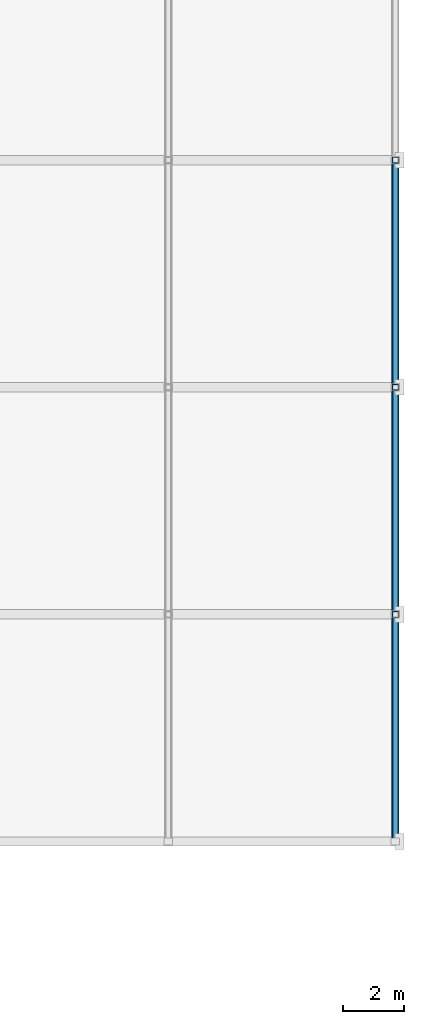
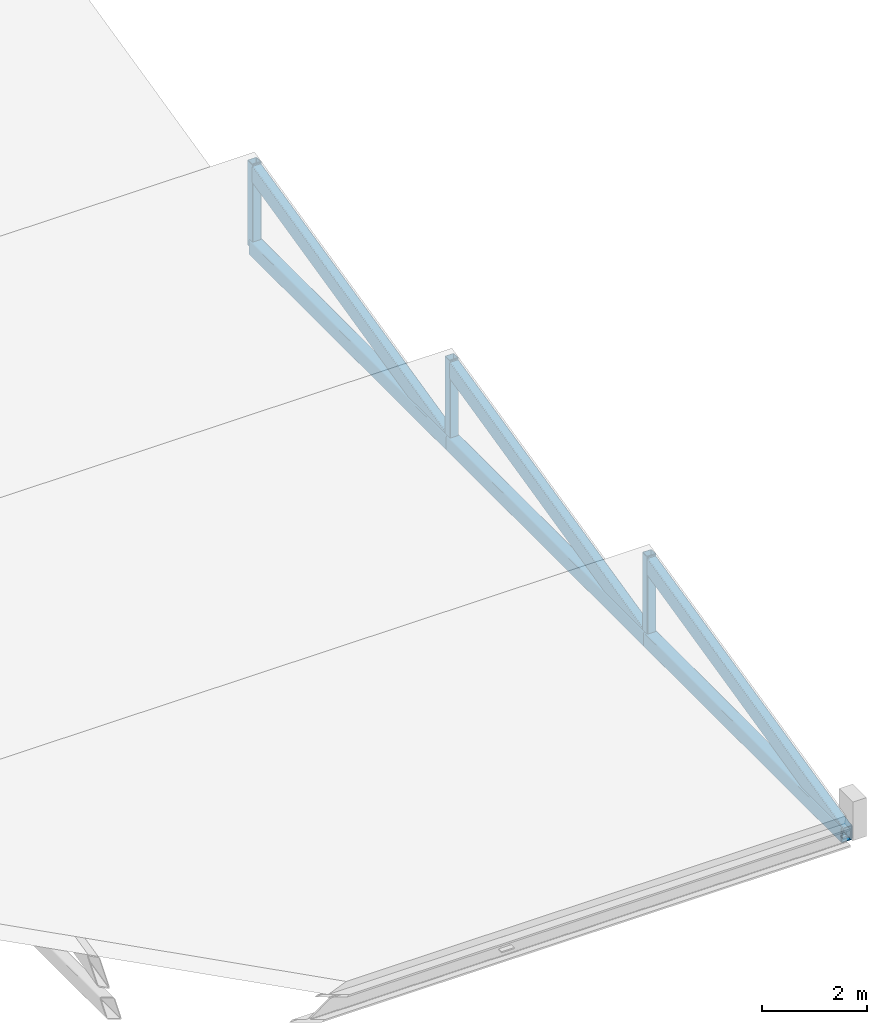
# One storey, part 46 of 82: 9 members.
"""IFC4 building model written with IfcOpenShell, lengths in metres."""

from ifc_helpers import new_model, si_unit, direction, frame, origin, origin_2d, place, context, subcontext, project, spatial, hollow_rectangle, extrude, material, material_profile, profile_set, type_object, element, save


model = new_model("IFC4")

# Units and contexts
model_context = context("Model", 3, precision=1e-05, world=origin(), true_north=direction((0.0, 1.0)))
body_context = subcontext(model_context, "Body", "Model", "MODEL_VIEW")
ifc_project = project(units=[si_unit("LENGTHUNIT", "METRE"), si_unit("AREAUNIT", "SQUARE_METRE"), si_unit("VOLUMEUNIT", "CUBIC_METRE"), si_unit("PLANEANGLEUNIT", "RADIAN"), si_unit("MASSUNIT", "GRAM", prefix="KILO")], contexts=[model_context])

# Site, building, storey
site_placement = place(None, origin())
site = spatial("IfcSite", under=ifc_project, at=site_placement, CompositionType="ELEMENT")
building_placement = place(site_placement, origin())
building = spatial("IfcBuilding", under=site, at=building_placement, Name="Qasida Concert Hall", CompositionType="ELEMENT")
storey_placement = place(building_placement, frame((0.0, 0.0, 17.10009765625)))
storey = spatial("IfcBuildingStorey", under=building, at=storey_placement, Name="L04", CompositionType="ELEMENT", Elevation=17.10009765625)

# Members
ifc_material = material(Name="Steel S355J2", Category="steel")
ifc_material_profile_1 = material_profile(ifc_material, hollow_rectangle(XDim=0.199951171875, YDim=0.39990234375, WallThickness=0.01611328125, InnerFilletRadius=0.01611328125, OuterFilletRadius=0.031982421875, at=origin_2d()), Name="RHS 400x200x16")
ifc_profile_set_1 = profile_set([ifc_material_profile_1], Name="Steel S355J2")
member_type_1 = type_object("IfcMemberType", Name="MB-CH4", PredefinedType="CHORD", material=ifc_profile_set_1)
for number, where, z_axis, x_axis, name in (
    (1, (165.0, 75.0, 0.0), (0.0, 0.973841209742, 0.227229615606), (-1.0, 0.0, 0.0), "Roof truss sawtooth rafter V4R-029"),
    (2, (165.0, 82.5, 0.0), (0.0, 0.973841209742, 0.227229615606), (-1.0, 0.0, 0.0), "Roof truss sawtooth rafter V4R-047"),
    (3, (165.0, 90.0, 0.0), (0.0, 0.973841209742, 0.227229615606), (-1.0, 0.0, 0.0), "Roof truss sawtooth rafter V4R-065"),
):
    element("IfcMember", number, at=place(storey_placement, frame(where, z_axis=z_axis, x_axis=x_axis)), inside=storey, type_object=member_type_1, Name=name, PredefinedType="CHORD", context=body_context, shape_type="SweptSolid", body=[
        extrude(hollow_rectangle(XDim=0.199951171875, YDim=0.39990234375, WallThickness=0.01611328125, InnerFilletRadius=0.01611328125, OuterFilletRadius=0.031982421875, at=origin_2d()), origin(), (0.0, 0.0, 1.0), 7.701416015625),
    ])
ifc_material_profile_2 = material_profile(ifc_material, hollow_rectangle(XDim=0.25, YDim=0.35009765625, WallThickness=0.01611328125, InnerFilletRadius=0.01611328125, OuterFilletRadius=0.031982421875, at=origin_2d()), Name="RHS 350x250x16")
ifc_profile_set_2 = profile_set([ifc_material_profile_2], Name="Steel S355J2")
member_type_2 = type_object("IfcMemberType", Name="MB-CH5", PredefinedType="CHORD", material=ifc_profile_set_2)
for number, where, z_axis, x_axis, name in (
    (4, (165.0, 75.0, 0.0), (0.0, 1.0, 0.0), (-1.0, 0.0, 0.0), "Roof truss sawtooth tie V4B-028"),
    (5, (165.0, 82.5, 0.0), (0.0, 1.0, 0.0), (-1.0, 0.0, 0.0), "Roof truss sawtooth tie V4B-046"),
    (6, (165.0, 90.0, 0.0), (0.0, 1.0, 0.0), (-1.0, 0.0, 0.0), "Roof truss sawtooth tie V4B-064"),
):
    element("IfcMember", number, at=place(storey_placement, frame(where, z_axis=z_axis, x_axis=x_axis)), inside=storey, type_object=member_type_2, Name=name, PredefinedType="CHORD", context=body_context, shape_type="SweptSolid", body=[
        extrude(hollow_rectangle(XDim=0.25, YDim=0.35009765625, WallThickness=0.01611328125, InnerFilletRadius=0.01611328125, OuterFilletRadius=0.031982421875, at=origin_2d()), origin(), (0.0, 0.0, 1.0), 7.5),
    ])
ifc_material_profile_3 = material_profile(ifc_material, hollow_rectangle(XDim=0.199951171875, YDim=0.199951171875, WallThickness=0.010009765625, InnerFilletRadius=0.010009765625, OuterFilletRadius=0.02001953125, at=origin_2d()), Name="SHS 200x200x10")
ifc_profile_set_3 = profile_set([ifc_material_profile_3], Name="Steel S355J2")
member_type_3 = type_object("IfcMemberType", Name="MB-ST6", PredefinedType="STRUT", material=ifc_profile_set_3)
for number, where, z_axis, x_axis, name in (
    (7, (165.0, 82.5, 0.0), (0.0, 0.0, 1.0), (1.0, 0.0, 0.0), "Roof truss sawtooth post V4V-030"),
    (8, (165.0, 90.0, 0.0), (0.0, 0.0, 1.0), (1.0, 0.0, 0.0), "Roof truss sawtooth post V4V-048"),
    (9, (165.0, 97.5, 0.0), (0.0, 0.0, 1.0), (1.0, 0.0, 0.0), "Roof truss sawtooth post V4V-066"),
):
    element("IfcMember", number, at=place(storey_placement, frame(where, z_axis=z_axis, x_axis=x_axis)), inside=storey, type_object=member_type_3, Name=name, PredefinedType="STRUT", context=body_context, shape_type="SweptSolid", body=[
        extrude(hollow_rectangle(XDim=0.199951171875, YDim=0.199951171875, WallThickness=0.010009765625, InnerFilletRadius=0.010009765625, OuterFilletRadius=0.02001953125, at=origin_2d()), origin(), (0.0, 0.0, 1.0), 1.9599609375),
    ])

save(model, "model.ifc")
